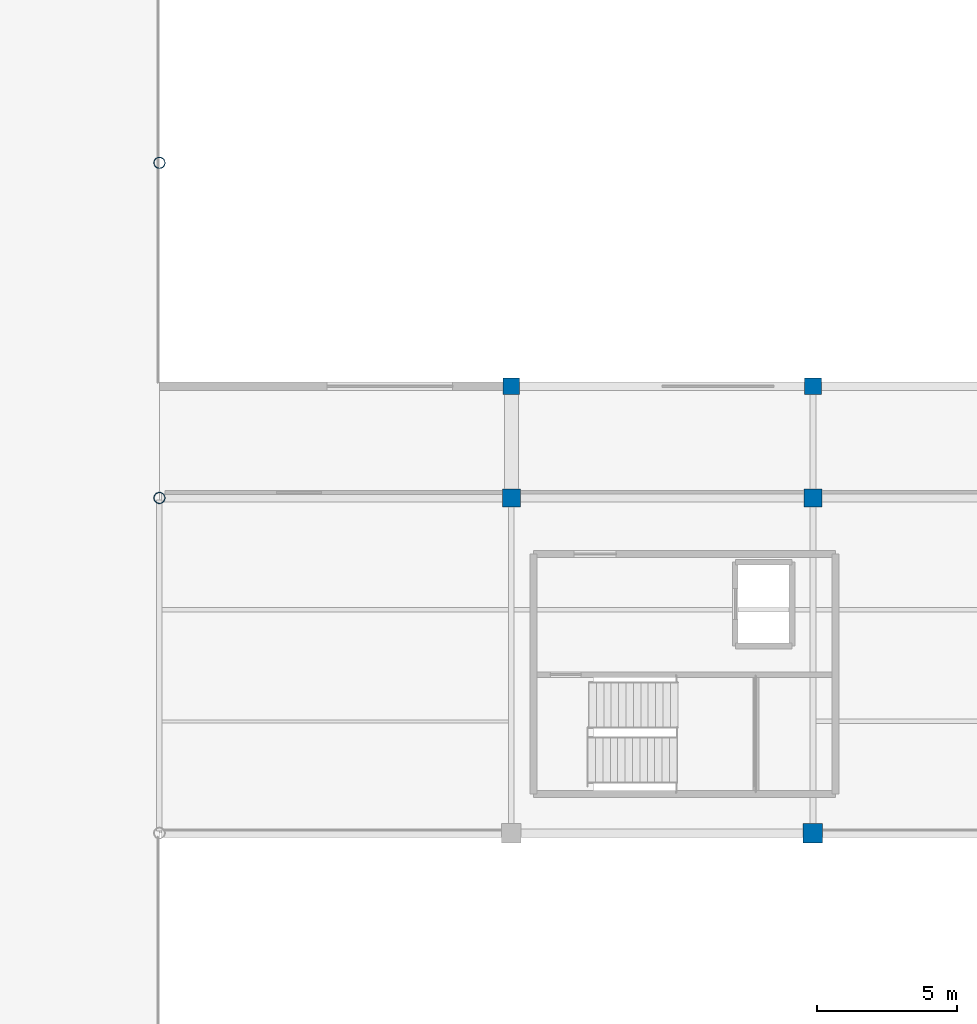
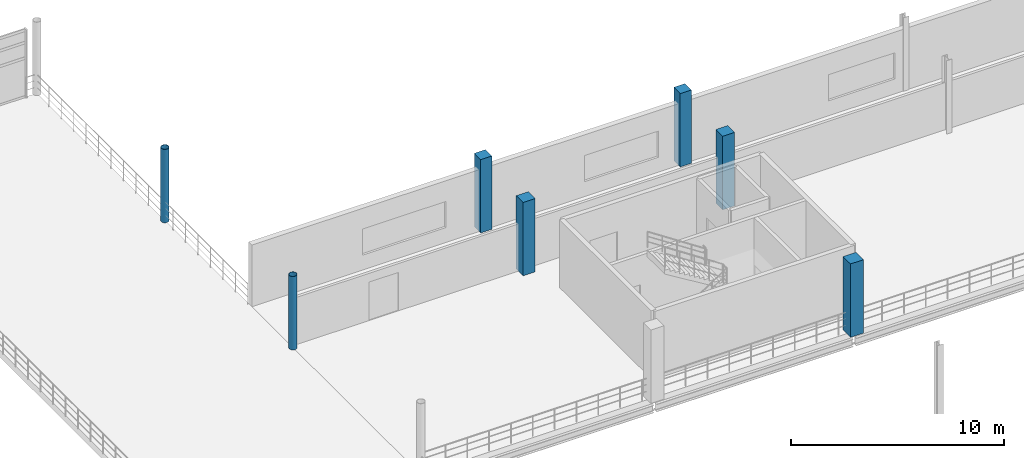
# One storey, part 8 of 89: 7 columns.
"""IFC4 building model written with IfcOpenShell, lengths in metres."""

from ifc_helpers import new_model, si_unit, direction, frame, origin, origin_2d, place, context, subcontext, project, spatial, rectangle, hollow_circle, extrude, material, material_profile, profile_set, type_object, element, save


model = new_model("IFC4")

# Units and contexts
model_context = context("Model", 3, precision=1e-05, world=origin(), true_north=direction((0.0, 1.0)))
body_context = subcontext(model_context, "Body", "Model", "MODEL_VIEW")
ifc_project = project(units=[si_unit("LENGTHUNIT", "METRE"), si_unit("AREAUNIT", "SQUARE_METRE"), si_unit("VOLUMEUNIT", "CUBIC_METRE"), si_unit("PLANEANGLEUNIT", "RADIAN"), si_unit("MASSUNIT", "GRAM", prefix="KILO"), si_unit("THERMODYNAMICTEMPERATUREUNIT", "KELVIN"), si_unit("POWERUNIT", "WATT")], contexts=[model_context])

# Site, building, storey
site_placement = place(None, origin())
site = spatial("IfcSite", under=ifc_project, at=site_placement, CompositionType="ELEMENT")
building_placement = place(site_placement, origin())
building = spatial("IfcBuilding", under=site, at=building_placement, Name="Solmara Park Aquatics Centre", CompositionType="ELEMENT")
storey_placement = place(building_placement, frame((0.0, 0.0, 5.39990234375)))
storey = spatial("IfcBuildingStorey", under=building, at=storey_placement, Name="L01", CompositionType="ELEMENT", Elevation=5.39990234375)

# Columns
ifc_material_1 = material(Name="Structural Steel S355", Category="steel")
ifc_material_profile_1 = material_profile(ifc_material_1, hollow_circle(Radius=0.203125, WallThickness=0.01611328125, at=origin_2d()), Name="CHS 406.4x16")
ifc_profile_set_1 = profile_set([ifc_material_profile_1], Name="Structural Steel S355")
column_type_1 = type_object("IfcColumnType", Name="STR-COL-CHS406", PredefinedType="COLUMN", material=ifc_profile_set_1)
for number, where, z_axis, x_axis, name in (
    (1, (96.60009765625, 48.60009765625, 0.0), (0.0, 0.0, 1.0), (1.0, 0.0, 0.0), "Column L01-0387"),
    (2, (96.60009765625, 60.60009765625, 0.0), (0.0, 0.0, 1.0), (1.0, 0.0, 0.0), "Column L01-0388"),
):
    element("IfcColumn", number, at=place(storey_placement, frame(where, z_axis=z_axis, x_axis=x_axis)), inside=storey, type_object=column_type_1, Name=name, PredefinedType="COLUMN", context=body_context, shape_type="SweptSolid", body=[
        extrude(hollow_circle(Radius=0.203125, WallThickness=0.01611328125, at=origin_2d()), origin(), (0.0, 0.0, 1.0), 4.2001953125),
    ])
ifc_material_2 = material(Name="Concrete C40/50", Category="concrete")
ifc_material_profile_2 = material_profile(ifc_material_2, rectangle(XDim=0.60009765625, YDim=0.60009765625, at=origin_2d()), Name="RC 600x600")
ifc_profile_set_2 = profile_set([ifc_material_profile_2], Name="Concrete C40/50")
column_type_2 = type_object("IfcColumnType", Name="STR-COL-RC600", PredefinedType="COLUMN", material=ifc_profile_set_2)
for number, where, z_axis, x_axis, name in (
    (3, (109.199951171875, 52.60009765625, 0.0), (0.0, 0.0, 1.0), (1.0, 0.0, 0.0), "Column L01-0399"),
    (4, (120.0, 52.60009765625, 0.0), (0.0, 0.0, 1.0), (1.0, 0.0, 0.0), "Column L01-0411"),
):
    element("IfcColumn", number, at=place(storey_placement, frame(where, z_axis=z_axis, x_axis=x_axis)), inside=storey, type_object=column_type_2, Name=name, PredefinedType="COLUMN", context=body_context, shape_type="SweptSolid", body=[
        extrude(rectangle(XDim=0.60009765625, YDim=0.60009765625, at=origin_2d()), origin(), (0.0, 0.0, 1.0), 4.2001953125),
    ])
ifc_material_profile_3 = material_profile(ifc_material_2, rectangle(XDim=0.64990234375, YDim=0.64990234375, at=origin_2d()), Name="RC 650x650")
ifc_profile_set_3 = profile_set([ifc_material_profile_3], Name="Concrete C40/50")
column_type_3 = type_object("IfcColumnType", Name="STR-COL-RC650", PredefinedType="COLUMN", material=ifc_profile_set_3)
for number, where, z_axis, x_axis, name in (
    (5, (109.199951171875, 48.60009765625, 0.0), (0.0, 0.0, 1.0), (1.0, 0.0, 0.0), "Column L01-0398"),
    (6, (120.0, 48.60009765625, 0.0), (0.0, 0.0, 1.0), (1.0, 0.0, 0.0), "Column L01-0410"),
):
    element("IfcColumn", number, at=place(storey_placement, frame(where, z_axis=z_axis, x_axis=x_axis)), inside=storey, type_object=column_type_3, Name=name, PredefinedType="COLUMN", context=body_context, shape_type="SweptSolid", body=[
        extrude(rectangle(XDim=0.64990234375, YDim=0.64990234375, at=origin_2d()), origin(), (0.0, 0.0, 1.0), 4.2001953125),
    ])
ifc_material_profile_4 = material_profile(ifc_material_2, rectangle(XDim=0.699951171875, YDim=0.699951171875, at=origin_2d()), Name="RC 700x700")
ifc_profile_set_4 = profile_set([ifc_material_profile_4], Name="Concrete C40/50")
column_type_4 = type_object("IfcColumnType", Name="STR-COL-RC700", PredefinedType="COLUMN", material=ifc_profile_set_4)
column_placement = place(storey_placement, frame((120.0, 36.60009765625, 0.0), z_axis=(0.0, 0.0, 1.0), x_axis=(1.0, 0.0, 0.0)))
element("IfcColumn", 7, at=column_placement, inside=storey, type_object=column_type_4, Name="Column L01-0409", PredefinedType="COLUMN", context=body_context, shape_type="SweptSolid", body=[
    extrude(rectangle(XDim=0.699951171875, YDim=0.699951171875, at=origin_2d()), origin(), (0.0, 0.0, 1.0), 4.2001953125),
])

save(model, "model.ifc")
